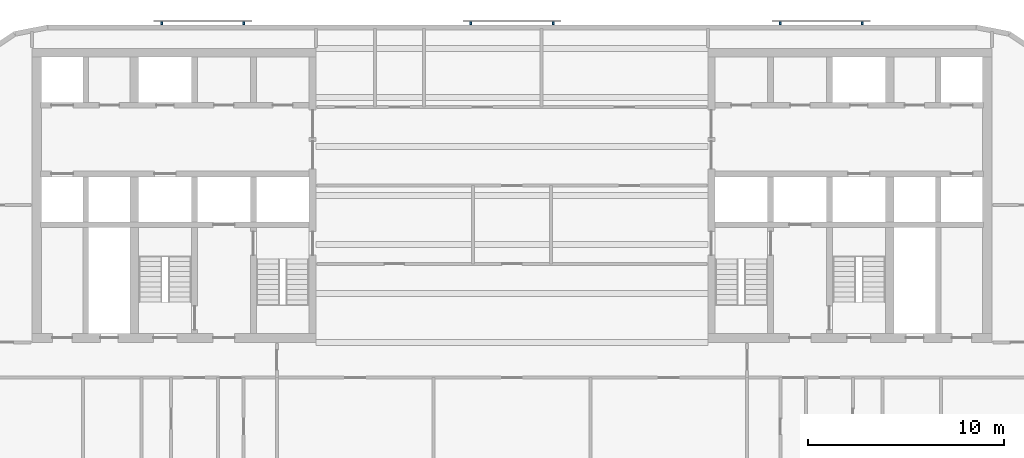
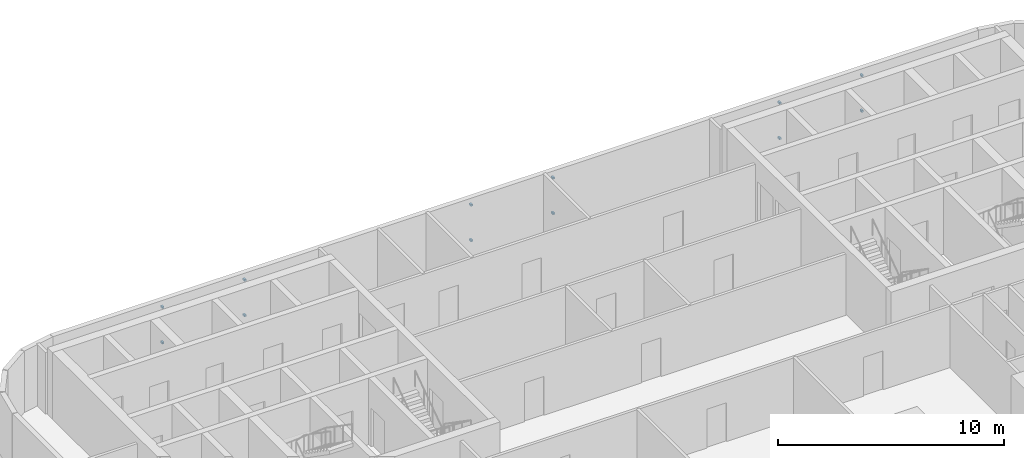
# One storey, part 8 of 11: 12 discrete accessories.
"""IFC4 building model written with IfcOpenShell, lengths in metres."""

from ifc_helpers import new_model, si_unit, direction, frame, origin, origin_2d, place, context, subcontext, project, spatial, rectangle, extrude, material, type_object, element, save


model = new_model("IFC4")

# Units and contexts
model_context = context("Model", 3, precision=1e-05, world=origin(), true_north=direction((0.0, 1.0)))
body_context = subcontext(model_context, "Body", "Model", "MODEL_VIEW")
ifc_project = project(units=[si_unit("LENGTHUNIT", "METRE"), si_unit("AREAUNIT", "SQUARE_METRE"), si_unit("VOLUMEUNIT", "CUBIC_METRE"), si_unit("PLANEANGLEUNIT", "RADIAN"), si_unit("MASSUNIT", "GRAM", prefix="KILO")], contexts=[model_context])

# Site, building, storey
site_placement = place(None, origin())
site = spatial("IfcSite", under=ifc_project, at=site_placement, CompositionType="ELEMENT")
building_placement = place(site_placement, origin())
building = spatial("IfcBuilding", under=site, at=building_placement, Name="Torana Hotel and Residences", CompositionType="ELEMENT")
storey_placement = place(building_placement, frame((0.0, 0.0, 145.199951171875)))
storey = spatial("IfcBuildingStorey", under=building, at=storey_placement, Name="L37", CompositionType="ELEMENT", Elevation=145.199951171875)

# Discrete accessories
ifc_material = material(Name="Steel S355", Category="steel")
discrete_accessory_type = type_object("IfcDiscreteAccessoryType", Name="SCREEN BRACKET 100", PredefinedType="BRACKET", material=ifc_material)
for number, where, z_axis, x_axis, name in (
    (1, (17.883544921875, 1.27490234375, 0.75), (0.0, 0.0, 1.0), (-1.0, 0.0, 0.0), "Screen bracket L37"),
    (2, (17.883544921875, 1.27490234375, 2.669921875), (0.0, 0.0, 1.0), (-1.0, 0.0, 0.0), "Screen bracket L37"),
    (3, (13.68359375, 1.27490234375, 0.75), (0.0, 0.0, 1.0), (-1.0, 0.0, 0.0), "Screen bracket L37"),
    (4, (13.68359375, 1.27490234375, 2.669921875), (0.0, 0.0, 1.0), (-1.0, 0.0, 0.0), "Screen bracket L37"),
    (5, (2.10009765625, 1.27490234375, 0.75), (0.0, 0.0, 1.0), (-1.0, 0.0, 0.0), "Screen bracket L37"),
    (6, (2.10009765625, 1.27490234375, 2.669921875), (0.0, 0.0, 1.0), (-1.0, 0.0, 0.0), "Screen bracket L37"),
    (7, (-2.10009765625, 1.27490234375, 0.75), (0.0, 0.0, 1.0), (-1.0, 0.0, 0.0), "Screen bracket L37"),
    (8, (-2.10009765625, 1.27490234375, 2.669921875), (0.0, 0.0, 1.0), (-1.0, 0.0, 0.0), "Screen bracket L37"),
    (9, (-13.68359375, 1.27490234375, 0.75), (0.0, 0.0, 1.0), (-1.0, 0.0, 0.0), "Screen bracket L37"),
    (10, (-13.68359375, 1.27490234375, 2.669921875), (0.0, 0.0, 1.0), (-1.0, 0.0, 0.0), "Screen bracket L37"),
    (11, (-17.883544921875, 1.27490234375, 0.75), (0.0, 0.0, 1.0), (-1.0, 0.0, 0.0), "Screen bracket L37"),
    (12, (-17.883544921875, 1.27490234375, 2.669921875), (0.0, 0.0, 1.0), (-1.0, 0.0, 0.0), "Screen bracket L37"),
):
    element("IfcDiscreteAccessory", number, at=place(storey_placement, frame(where, z_axis=z_axis, x_axis=x_axis)), inside=storey, type_object=discrete_accessory_type, Name=name, PredefinedType="BRACKET", context=body_context, shape_type="SweptSolid", body=[
        extrude(rectangle(XDim=0.10009765625, YDim=0.14990234375, at=origin_2d()), origin(), (0.0, 0.0, 1.0), 0.10009765625),
    ])

save(model, "model.ifc")
